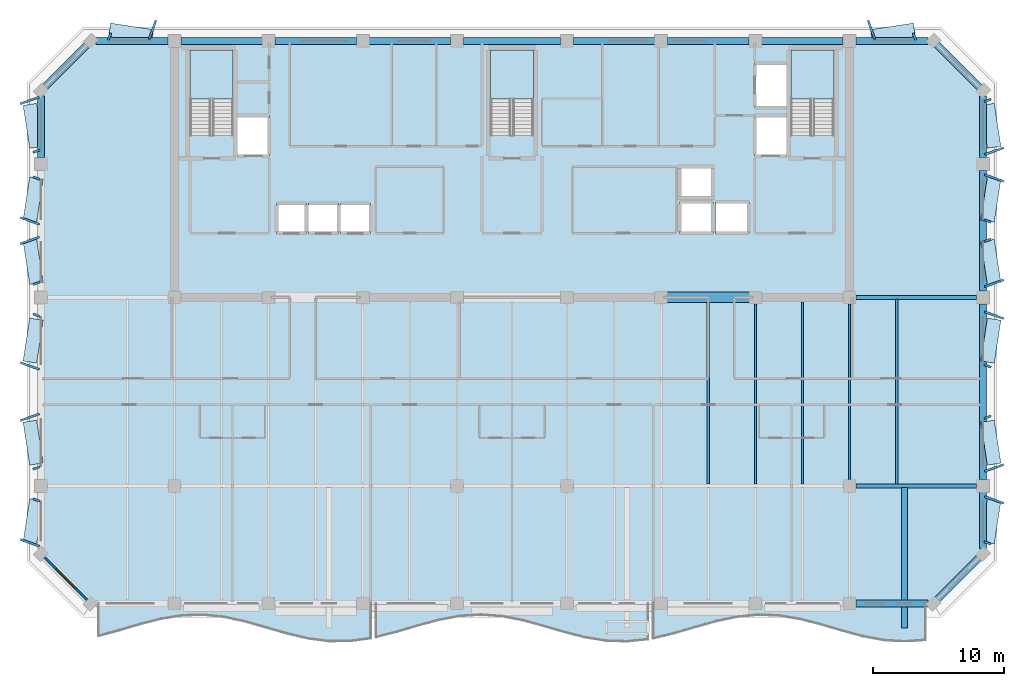
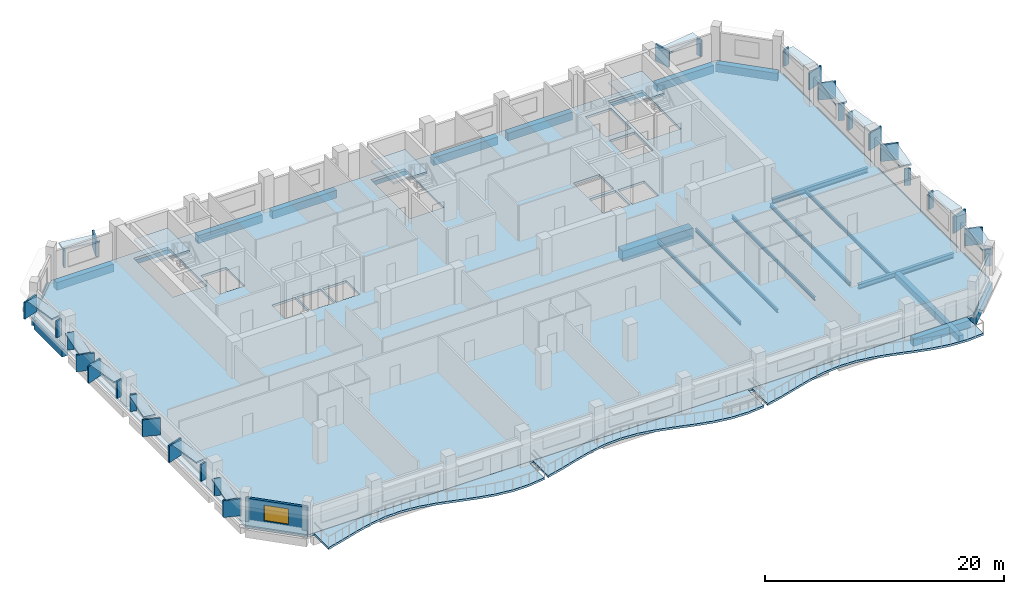
# One storey, part 2 of 10: 42 plates, 27 beams, 7 slabs, 1 wall, 1 window, 1 opening, 3 elements without a shape of their own.
"""IFC4 building model written with IfcOpenShell, lengths in metres."""

from ifc_helpers import new_model, si_unit, direction, frame, frame_2d, origin, origin_2d, place, context, subcontext, project, spatial, polyline, rectangle, i_section, outline, extrude, material, layer, layer_set, material_profile, profile_set, type_object, element, fill, aggregate, save


model = new_model("IFC4")

# Units and contexts
model_context = context("Model", 3, precision=1e-05, world=origin(), true_north=direction((0.0, 1.0)))
body_context = subcontext(model_context, "Body", "Model", "MODEL_VIEW")
ifc_project = project(units=[si_unit("LENGTHUNIT", "METRE"), si_unit("AREAUNIT", "SQUARE_METRE"), si_unit("VOLUMEUNIT", "CUBIC_METRE"), si_unit("PLANEANGLEUNIT", "RADIAN"), si_unit("MASSUNIT", "GRAM", prefix="KILO")], contexts=[model_context])

# Site, building, storey
site_placement = place(None, origin())
site = spatial("IfcSite", under=ifc_project, at=site_placement, CompositionType="ELEMENT")
building_placement = place(site_placement, origin())
building = spatial("IfcBuilding", under=site, at=building_placement, Name="Kaelvorn Grand Hotel", CompositionType="ELEMENT")
storey_placement = place(building_placement, frame((0.0, 0.0, 260.75)))
storey = spatial("IfcBuildingStorey", under=building, at=storey_placement, Name="L64", CompositionType="ELEMENT", Elevation=260.75)

# Beams
ifc_material_1 = material(Name="Steel S355", Category="steel")
ifc_material_profile_1 = material_profile(ifc_material_1, i_section(OverallWidth=0.300048828125, OverallDepth=0.5, WebThickness=0.014404296875, FlangeThickness=0.028076171875, FilletRadius=0.027099609375, at=origin_2d()), Name="HEB 500")
ifc_profile_set_1 = profile_set([ifc_material_profile_1], Name="Steel S355")
beam_type_1 = type_object("IfcBeamType", Name="BM-G-HEB500-S355", PredefinedType="BEAM", material=ifc_profile_set_1)
for number, where, z_axis, x_axis, name in (
    (1, (68.284912109375, 15.0, -0.489990234375), (1.0, 0.0, 0.0), (0.0, 1.0, 0.0), "L64 Primary Spine Steel Girder G-15 05"),
    (2, (68.284912109375, 29.39990234375, -0.489990234375), (1.0, 0.0, 0.0), (0.0, 1.0, 0.0), "L64 East Core Wing Steel Girder G-29E 01"),
):
    element("IfcBeam", number, at=place(storey_placement, frame(where, z_axis=z_axis, x_axis=x_axis)), inside=storey, type_object=beam_type_1, Name=name, PredefinedType="BEAM", context=body_context, shape_type="SweptSolid", body=[
        extrude(i_section(OverallWidth=0.300048828125, OverallDepth=0.5, WebThickness=0.014404296875, FlangeThickness=0.028076171875, FilletRadius=0.027099609375, at=origin_2d()), origin(), (0.0, 0.0, 1.0), 9.22998046875),
    ])
ifc_material_profile_2 = material_profile(ifc_material_1, i_section(OverallWidth=0.169921875, OverallDepth=0.360107421875, WebThickness=0.008056640625, FlangeThickness=0.0126953125, FilletRadius=0.01806640625, at=origin_2d()), Name="IPE 360")
ifc_profile_set_2 = profile_set([ifc_material_profile_2], Name="Steel S355")
beam_type_2 = type_object("IfcBeamType", Name="BM-J-IPE360-S355", PredefinedType="JOIST", material=ifc_profile_set_2)
beam_1_placement = place(storey_placement, frame((57.0, 15.135009765625, -0.419921875), z_axis=(0.0, 1.0, 0.0), x_axis=(-1.0, 0.0, 0.0)))
element("IfcBeam", 3, at=beam_1_placement, inside=storey, type_object=beam_type_2, Name="L64 Composite Floor Joist JM-16", PredefinedType="JOIST", context=body_context, shape_type="SweptSolid", body=[
    extrude(i_section(OverallWidth=0.169921875, OverallDepth=0.360107421875, WebThickness=0.008056640625, FlangeThickness=0.0126953125, FilletRadius=0.01806640625, at=origin_2d()), origin(), (0.0, 0.0, 1.0), 13.925048828125),
])
beam_2_placement = place(storey_placement, frame((60.60009765625, 15.135009765625, -0.419921875), z_axis=(0.0, 1.0, 0.0), x_axis=(-1.0, 0.0, 0.0)))
element("IfcBeam", 4, at=beam_2_placement, inside=storey, type_object=beam_type_2, Name="L64 Composite Floor Joist JM-17", PredefinedType="JOIST", context=body_context, shape_type="SweptSolid", body=[
    extrude(i_section(OverallWidth=0.169921875, OverallDepth=0.360107421875, WebThickness=0.008056640625, FlangeThickness=0.0126953125, FilletRadius=0.01806640625, at=origin_2d()), origin(), (0.0, 0.0, 1.0), 13.780029296875),
])
beam_3_placement = place(storey_placement, frame((64.199951171875, 15.135009765625, -0.419921875), z_axis=(0.0, 1.0, 0.0), x_axis=(-1.0, 0.0, 0.0)))
element("IfcBeam", 5, at=beam_3_placement, inside=storey, type_object=beam_type_2, Name="L64 Composite Floor Joist JM-18", PredefinedType="JOIST", context=body_context, shape_type="SweptSolid", body=[
    extrude(i_section(OverallWidth=0.169921875, OverallDepth=0.360107421875, WebThickness=0.008056640625, FlangeThickness=0.0126953125, FilletRadius=0.01806640625, at=origin_2d()), origin(), (0.0, 0.0, 1.0), 13.925048828125),
])
beam_4_placement = place(storey_placement, frame((67.800048828125, 15.485107421875, -0.419921875), z_axis=(0.0, 1.0, 0.0), x_axis=(-1.0, 0.0, 0.0)))
element("IfcBeam", 6, at=beam_4_placement, inside=storey, type_object=beam_type_2, Name="L64 Composite Floor Joist JM-19", PredefinedType="JOIST", context=body_context, shape_type="SweptSolid", body=[
    extrude(i_section(OverallWidth=0.169921875, OverallDepth=0.360107421875, WebThickness=0.008056640625, FlangeThickness=0.0126953125, FilletRadius=0.01806640625, at=origin_2d()), origin(), (0.0, 0.0, 1.0), 13.429931640625),
])
beam_5_placement = place(storey_placement, frame((71.39990234375, 15.135009765625, -0.419921875), z_axis=(0.0, 1.0, 0.0), x_axis=(-1.0, 0.0, 0.0)))
element("IfcBeam", 7, at=beam_5_placement, inside=storey, type_object=beam_type_2, Name="L64 Composite Floor Joist JM-20", PredefinedType="JOIST", context=body_context, shape_type="SweptSolid", body=[
    extrude(i_section(OverallWidth=0.169921875, OverallDepth=0.360107421875, WebThickness=0.008056640625, FlangeThickness=0.0126953125, FilletRadius=0.01806640625, at=origin_2d()), origin(), (0.0, 0.0, 1.0), 14.1298828125),
])
ifc_material_2 = material(Name="Concrete C60/75", Category="concrete")
ifc_material_profile_3 = material_profile(ifc_material_2, rectangle(XDim=0.800048828125, YDim=1.10009765625, at=origin_2d()), Name="RC LINTEL 800x1100")
ifc_profile_set_3 = profile_set([ifc_material_profile_3], Name="Concrete C60/75")
beam_type_3 = type_object("IfcBeamType", Name="BM-LIN-800x1100-C60", PredefinedType="LINTEL", material=ifc_profile_set_3)
beam_6_placement = place(storey_placement, frame((53.580078125, 29.39990234375, -0.7900390625), z_axis=(1.0, 0.0, 0.0), x_axis=(0.0, 1.0, 0.0)))
element("IfcBeam", 8, at=beam_6_placement, inside=storey, type_object=beam_type_3, Name="L64 Rear-Core Coupling Lintel Beam CB1-03", PredefinedType="LINTEL", context=body_context, shape_type="SweptSolid", body=[
    extrude(rectangle(XDim=0.800048828125, YDim=1.10009765625, at=origin_2d()), origin(), (0.0, 0.0, 1.0), 6.83984375),
])
ifc_material_3 = material(Name="Concrete C40/50", Category="concrete")
ifc_material_profile_4 = material_profile(ifc_material_3, rectangle(XDim=0.449951171875, YDim=0.64990234375, at=origin_2d()), Name="RC RIB 450x650")
ifc_profile_set_4 = profile_set([ifc_material_profile_4], Name="Concrete C40/50")
beam_type_4 = type_object("IfcBeamType", Name="BM-RIB-450x650-C40", PredefinedType="SPANDREL", material=ifc_profile_set_4)
beam_7_placement = place(storey_placement, frame((72.0, 4.14990234375, -0.544921875), z_axis=(0.0, 1.0, 0.0), x_axis=(-1.0, 0.0, 0.0)))
element("IfcBeam", 9, at=beam_7_placement, inside=storey, type_object=beam_type_4, Name="L64 Cantilevered Balcony Back-Span Rib RB1-3", PredefinedType="SPANDREL", context=body_context, shape_type="SweptSolid", body=[
    extrude(rectangle(XDim=0.449951171875, YDim=0.64990234375, at=origin_2d()), origin(), (0.0, 0.0, 1.0), 10.715087890625),
])
ifc_material_4 = material(Name="Concrete C50/60", Category="concrete")
ifc_material_profile_5 = material_profile(ifc_material_4, rectangle(XDim=0.550048828125, YDim=0.800048828125, at=origin_2d()), Name="RC SPANDREL 550x800")
ifc_profile_set_5 = profile_set([ifc_material_profile_5], Name="Concrete C50/60")
beam_type_5 = type_object("IfcBeamType", Name="BM-SP-550x800-C50", PredefinedType="SPANDREL", material=ifc_profile_set_5)
for number, where, z_axis, x_axis, name in (
    (10, (68.284912109375, 6.0, -0.639892578125), (1.0, 0.0, 0.0), (0.0, 1.0, 0.0), "L64 South Perimeter Spandrel 09"),
    (11, (10.205078125, 49.0, -0.639892578125), (1.0, 0.0, 0.0), (0.0, 1.0, 0.0), "L64 North Perimeter Spandrel 01"),
):
    element("IfcBeam", number, at=place(storey_placement, frame(where, z_axis=z_axis, x_axis=x_axis)), inside=storey, type_object=beam_type_5, Name=name, PredefinedType="SPANDREL", context=body_context, shape_type="SweptSolid", body=[
        extrude(rectangle(XDim=0.550048828125, YDim=0.800048828125, at=origin_2d()), origin(), (0.0, 0.0, 1.0), 5.510009765625),
    ])
for number, where, z_axis, x_axis, name in (
    (12, (16.68505859375, 49.0, -0.639892578125), (1.0, 0.0, 0.0), (0.0, 1.0, 0.0), "L64 North Perimeter Spandrel 02"),
    (13, (23.885009765625, 49.0, -0.639892578125), (1.0, 0.0, 0.0), (0.0, 1.0, 0.0), "L64 North Perimeter Spandrel 03"),
    (14, (31.0849609375, 49.0, -0.639892578125), (1.0, 0.0, 0.0), (0.0, 1.0, 0.0), "L64 North Perimeter Spandrel 04"),
):
    element("IfcBeam", number, at=place(storey_placement, frame(where, z_axis=z_axis, x_axis=x_axis)), inside=storey, type_object=beam_type_5, Name=name, PredefinedType="SPANDREL", context=body_context, shape_type="SweptSolid", body=[
        extrude(rectangle(XDim=0.550048828125, YDim=0.800048828125, at=origin_2d()), origin(), (0.0, 0.0, 1.0), 6.22998046875),
    ])
beam_8_placement = place(storey_placement, frame((38.284912109375, 49.0, -0.639892578125), z_axis=(1.0, 0.0, 0.0), x_axis=(0.0, 1.0, 0.0)))
element("IfcBeam", 15, at=beam_8_placement, inside=storey, type_object=beam_type_5, Name="L64 North Perimeter Spandrel 05", PredefinedType="SPANDREL", context=body_context, shape_type="SweptSolid", body=[
    extrude(rectangle(XDim=0.550048828125, YDim=0.800048828125, at=origin_2d()), origin(), (0.0, 0.0, 1.0), 7.43017578125),
])
for number, where, z_axis, x_axis, name in (
    (16, (46.68505859375, 49.0, -0.639892578125), (1.0, 0.0, 0.0), (0.0, 1.0, 0.0), "L64 North Perimeter Spandrel 06"),
    (17, (53.885009765625, 49.0, -0.639892578125), (1.0, 0.0, 0.0), (0.0, 1.0, 0.0), "L64 North Perimeter Spandrel 07"),
    (18, (61.0849609375, 49.0, -0.639892578125), (1.0, 0.0, 0.0), (0.0, 1.0, 0.0), "L64 North Perimeter Spandrel 08"),
):
    element("IfcBeam", number, at=place(storey_placement, frame(where, z_axis=z_axis, x_axis=x_axis)), inside=storey, type_object=beam_type_5, Name=name, PredefinedType="SPANDREL", context=body_context, shape_type="SweptSolid", body=[
        extrude(rectangle(XDim=0.550048828125, YDim=0.800048828125, at=origin_2d()), origin(), (0.0, 0.0, 1.0), 6.22998046875),
    ])
beam_9_placement = place(storey_placement, frame((68.284912109375, 49.0, -0.639892578125), z_axis=(1.0, 0.0, 0.0), x_axis=(0.0, 1.0, 0.0)))
element("IfcBeam", 19, at=beam_9_placement, inside=storey, type_object=beam_type_5, Name="L64 North Perimeter Spandrel 09", PredefinedType="SPANDREL", context=body_context, shape_type="SweptSolid", body=[
    extrude(rectangle(XDim=0.550048828125, YDim=0.800048828125, at=origin_2d()), origin(), (0.0, 0.0, 1.0), 5.510009765625),
])
beam_10_placement = place(storey_placement, frame((6.0, 40.0849609375, -0.639892578125), z_axis=(0.0, 1.0, 0.0), x_axis=(-1.0, 0.0, 0.0)))
element("IfcBeam", 20, at=beam_10_placement, inside=storey, type_object=beam_type_5, Name="L64 West Perimeter Spandrel 04", PredefinedType="SPANDREL", context=body_context, shape_type="SweptSolid", body=[
    extrude(rectangle(XDim=0.550048828125, YDim=0.800048828125, at=origin_2d()), origin(), (0.0, 0.0, 1.0), 4.7099609375),
])
beam_11_placement = place(storey_placement, frame((78.0, 10.205078125, -0.639892578125), z_axis=(0.0, 1.0, 0.0), x_axis=(-1.0, 0.0, 0.0)))
element("IfcBeam", 21, at=beam_11_placement, inside=storey, type_object=beam_type_5, Name="L64 East Perimeter Spandrel 01", PredefinedType="SPANDREL", context=body_context, shape_type="SweptSolid", body=[
    extrude(rectangle(XDim=0.550048828125, YDim=0.800048828125, at=origin_2d()), origin(), (0.0, 0.0, 1.0), 4.309814453125),
])
beam_12_placement = place(storey_placement, frame((78.0, 15.485107421875, -0.639892578125), z_axis=(0.0, 1.0, 0.0), x_axis=(-1.0, 0.0, 0.0)))
element("IfcBeam", 22, at=beam_12_placement, inside=storey, type_object=beam_type_5, Name="L64 East Perimeter Spandrel 02", PredefinedType="SPANDREL", context=body_context, shape_type="SweptSolid", body=[
    extrude(rectangle(XDim=0.550048828125, YDim=0.800048828125, at=origin_2d()), origin(), (0.0, 0.0, 1.0), 13.429931640625),
])
beam_13_placement = place(storey_placement, frame((78.0, 29.885009765625, -0.639892578125), z_axis=(0.0, 1.0, 0.0), x_axis=(-1.0, 0.0, 0.0)))
element("IfcBeam", 23, at=beam_13_placement, inside=storey, type_object=beam_type_5, Name="L64 East Perimeter Spandrel 03", PredefinedType="SPANDREL", context=body_context, shape_type="SweptSolid", body=[
    extrude(rectangle(XDim=0.550048828125, YDim=0.800048828125, at=origin_2d()), origin(), (0.0, 0.0, 1.0), 9.22998046875),
])
beam_14_placement = place(storey_placement, frame((78.0, 40.0849609375, -0.639892578125), z_axis=(0.0, 1.0, 0.0), x_axis=(-1.0, 0.0, 0.0)))
element("IfcBeam", 24, at=beam_14_placement, inside=storey, type_object=beam_type_5, Name="L64 East Perimeter Spandrel 04", PredefinedType="SPANDREL", context=body_context, shape_type="SweptSolid", body=[
    extrude(rectangle(XDim=0.550048828125, YDim=0.800048828125, at=origin_2d()), origin(), (0.0, 0.0, 1.0), 4.7099609375),
])
for number, where, z_axis, x_axis, name in (
    (25, (74.199951171875, 6.0, -0.639892578125), (0.707106781187, 0.707106781187, 0.0), (-0.707106781187, 0.707106781187, 0.0), "L64 Chamfer Spandrel Beam 1"),
    (26, (78.0, 45.199951171875, -0.639892578125), (-0.707106781187, 0.707106781187, 0.0), (-0.707106781187, -0.707106781187, 0.0), "L64 Chamfer Spandrel Beam 2"),
    (27, (9.800048828125, 49.0, -0.639892578125), (-0.707106781187, -0.707106781187, 0.0), (0.707106781187, -0.707106781187, 0.0), "L64 Chamfer Spandrel Beam 3"),
):
    element("IfcBeam", number, at=place(storey_placement, frame(where, z_axis=z_axis, x_axis=x_axis)), inside=storey, type_object=beam_type_5, Name=name, PredefinedType="SPANDREL", context=body_context, shape_type="SweptSolid", body=[
        extrude(rectangle(XDim=0.550048828125, YDim=0.800048828125, at=origin_2d()), origin(), (0.0, 0.0, 1.0), 5.3740234375),
    ])

# Plates
ifc_material_5 = material(Name="Precast concrete C45/55", Category="concrete")
ifc_layer_1 = layer(ifc_material_5, 0.159912109375)
ifc_layer_set_1 = layer_set([ifc_layer_1], Name="Precast concrete C45/55")
plate_type_1 = type_object("IfcPlateType", Name="PL-FRAME-DEEP-1550", PredefinedType="USERDEFINED", material=ifc_layer_set_1)
for number, where, z_axis, x_axis, name in (
    (28, (78.844970703125, 13.925048828125, 0.740234375), (0.0, 0.0, 1.0), (0.333806859234, 0.942641491092, 0.0), "L64 Tilted Precast Window Frame Fin R-E01"),
    (29, (78.844970703125, 16.360107421875, 0.81494140625), (0.0, 0.0, 1.0), (-0.333806859234, 0.942641491092, 0.0), "L64 Tilted Precast Window Frame Fin L-E02"),
    (30, (78.844970703125, 28.0400390625, 0.81494140625), (0.0, 0.0, 1.0), (0.333806859234, 0.942641491092, 0.0), "L64 Tilted Precast Window Frame Fin R-E03"),
    (31, (78.844970703125, 30.47509765625, 0.740234375), (0.0, 0.0, 1.0), (-0.333806859234, 0.942641491092, 0.0), "L64 Tilted Precast Window Frame Fin L-E04"),
    (32, (78.844970703125, 38.52490234375, 0.740234375), (0.0, 0.0, 1.0), (0.333806859234, 0.942641491092, 0.0), "L64 Tilted Precast Window Frame Fin R-E05"),
    (33, (78.844970703125, 40.574951171875, 0.81494140625), (0.0, 0.0, 1.0), (-0.333806859234, 0.942641491092, 0.0), "L64 Tilted Precast Window Frame Fin L-E06"),
    (34, (5.155029296875, 10.64501953125, 0.740234375), (0.0, 0.0, 1.0), (0.333806859234, 0.942641491092, 0.0), "L64 Tilted Precast Window Frame Fin L-W01"),
    (35, (5.155029296875, 20.239990234375, 0.81494140625), (0.0, 0.0, 1.0), (-0.333806859234, 0.942641491092, 0.0), "L64 Tilted Precast Window Frame Fin R-W02"),
    (36, (5.155029296875, 24.159912109375, 0.81494140625), (0.0, 0.0, 1.0), (0.333806859234, 0.942641491092, 0.0), "L64 Tilted Precast Window Frame Fin L-W03"),
    (37, (5.155029296875, 33.7548828125, 0.740234375), (0.0, 0.0, 1.0), (-0.333806859234, 0.942641491092, 0.0), "L64 Tilted Precast Window Frame Fin R-W04"),
    (38, (5.155029296875, 35.2451171875, 0.740234375), (0.0, 0.0, 1.0), (0.333806859234, 0.942641491092, 0.0), "L64 Tilted Precast Window Frame Fin L-W05"),
    (39, (5.155029296875, 44.455078125, 0.81494140625), (0.0, 0.0, 1.0), (-0.333806859234, 0.942641491092, 0.0), "L64 Tilted Precast Window Frame Fin R-W06"),
    (40, (14.52490234375, 49.844970703125, 0.740234375), (0.0, 0.0, 1.0), (0.942641491092, -0.333806859234, 0.0), "L64 Tilted Precast Window Frame Fin R-N01"),
    (41, (69.47509765625, 49.844970703125, 0.740234375), (0.0, 0.0, 1.0), (0.942641491092, 0.333806859234, 0.0), "L64 Tilted Precast Window Frame Fin L-N02"),
):
    element("IfcPlate", number, at=place(storey_placement, frame(where, z_axis=z_axis, x_axis=x_axis)), inside=storey, type_object=plate_type_1, Name=name, ObjectType="FLANGE_PLATE", PredefinedType="USERDEFINED", context=body_context, shape_type="SweptSolid", body=[
        extrude(rectangle(XDim=0.159912109375, YDim=1.550048828125, at=origin_2d()), origin(), (0.0, 0.0, 1.0), 1.719970703125),
    ])
ifc_layer_2 = layer(ifc_material_5, 0.159912109375)
ifc_layer_set_2 = layer_set([ifc_layer_2], Name="Precast concrete C45/55")
plate_type_2 = type_object("IfcPlateType", Name="PL-FRAME-HEAD-1050", PredefinedType="USERDEFINED", material=ifc_layer_set_2)
for number, where, z_axis, x_axis, name in (
    (42, (78.594970703125, 12.284912109375, 2.35009765625), (0.0, 0.0, 1.0), (0.152554625759, 0.988295040036, 0.0), "L64 Precast Window Frame Head Hood H-E01"),
    (43, (78.594970703125, 18.300048828125, 2.5), (0.0, 0.0, 1.0), (-0.152554625759, 0.988295040036, 0.0), "L64 Precast Window Frame Head Hood H-E02"),
    (44, (78.594970703125, 26.10009765625, 2.5), (0.0, 0.0, 1.0), (0.152554625759, 0.988295040036, 0.0), "L64 Precast Window Frame Head Hood H-E03"),
    (45, (78.594970703125, 32.114990234375, 2.35009765625), (0.0, 0.0, 1.0), (-0.152554625759, 0.988295040036, 0.0), "L64 Precast Window Frame Head Hood H-E04"),
    (46, (78.594970703125, 36.885009765625, 2.35009765625), (0.0, 0.0, 1.0), (0.152554625759, 0.988295040036, 0.0), "L64 Precast Window Frame Head Hood H-E05"),
    (47, (78.594970703125, 42.514892578125, 2.5), (0.0, 0.0, 1.0), (-0.152554625759, 0.988295040036, 0.0), "L64 Precast Window Frame Head Hood H-E06"),
    (48, (5.405029296875, 12.284912109375, 2.35009765625), (0.0, 0.0, 1.0), (0.152554625759, 0.988295040036, 0.0), "L64 Precast Window Frame Head Hood H-W01"),
    (49, (5.405029296875, 18.300048828125, 2.5), (0.0, 0.0, 1.0), (-0.152554625759, 0.988295040036, 0.0), "L64 Precast Window Frame Head Hood H-W02"),
    (50, (5.405029296875, 26.10009765625, 2.5), (0.0, 0.0, 1.0), (0.152554625759, 0.988295040036, 0.0), "L64 Precast Window Frame Head Hood H-W03"),
    (51, (5.405029296875, 32.114990234375, 2.35009765625), (0.0, 0.0, 1.0), (-0.152554625759, 0.988295040036, 0.0), "L64 Precast Window Frame Head Hood H-W04"),
    (52, (5.405029296875, 36.885009765625, 2.35009765625), (0.0, 0.0, 1.0), (0.152554625759, 0.988295040036, 0.0), "L64 Precast Window Frame Head Hood H-W05"),
    (53, (5.405029296875, 42.514892578125, 2.5), (0.0, 0.0, 1.0), (-0.152554625759, 0.988295040036, 0.0), "L64 Precast Window Frame Head Hood H-W06"),
    (54, (12.885009765625, 49.594970703125, 2.35009765625), (0.0, 0.0, 1.0), (0.988295040036, -0.152554625759, 0.0), "L64 Precast Window Frame Head Hood H-N01"),
    (55, (71.114990234375, 49.594970703125, 2.35009765625), (0.0, 0.0, 1.0), (0.988295040036, 0.152554625759, 0.0), "L64 Precast Window Frame Head Hood H-N02"),
):
    element("IfcPlate", number, at=place(storey_placement, frame(where, z_axis=z_axis, x_axis=x_axis)), inside=storey, type_object=plate_type_2, Name=name, ObjectType="FLANGE_PLATE", PredefinedType="USERDEFINED", context=body_context, shape_type="SweptSolid", body=[
        extrude(rectangle(XDim=3.320068359375, YDim=1.050048828125, at=origin_2d()), origin(), (0.0, 0.0, 1.0), 0.159912109375),
    ])
ifc_layer_3 = layer(ifc_material_5, 0.159912109375)
ifc_layer_set_3 = layer_set([ifc_layer_3], Name="Precast concrete C45/55")
plate_type_3 = type_object("IfcPlateType", Name="PL-FRAME-SHAL-550", PredefinedType="USERDEFINED", material=ifc_layer_set_3)
for number, where, z_axis, x_axis, name in (
    (56, (78.344970703125, 10.64501953125, 0.740234375), (0.0, 0.0, 1.0), (0.333806859234, 0.942641491092, 0.0), "L64 Tilted Precast Window Frame Fin L-E01"),
    (57, (78.344970703125, 20.239990234375, 0.81494140625), (0.0, 0.0, 1.0), (-0.333806859234, 0.942641491092, 0.0), "L64 Tilted Precast Window Frame Fin R-E02"),
    (58, (78.344970703125, 24.159912109375, 0.81494140625), (0.0, 0.0, 1.0), (0.333806859234, 0.942641491092, 0.0), "L64 Tilted Precast Window Frame Fin L-E03"),
    (59, (78.344970703125, 33.7548828125, 0.740234375), (0.0, 0.0, 1.0), (-0.333806859234, 0.942641491092, 0.0), "L64 Tilted Precast Window Frame Fin R-E04"),
    (60, (78.344970703125, 35.2451171875, 0.740234375), (0.0, 0.0, 1.0), (0.333806859234, 0.942641491092, 0.0), "L64 Tilted Precast Window Frame Fin L-E05"),
    (61, (78.344970703125, 44.455078125, 0.81494140625), (0.0, 0.0, 1.0), (-0.333806859234, 0.942641491092, 0.0), "L64 Tilted Precast Window Frame Fin R-E06"),
    (62, (5.655029296875, 13.925048828125, 0.740234375), (0.0, 0.0, 1.0), (0.333806859234, 0.942641491092, 0.0), "L64 Tilted Precast Window Frame Fin R-W01"),
    (63, (5.655029296875, 16.360107421875, 0.81494140625), (0.0, 0.0, 1.0), (-0.333806859234, 0.942641491092, 0.0), "L64 Tilted Precast Window Frame Fin L-W02"),
    (64, (5.655029296875, 28.0400390625, 0.81494140625), (0.0, 0.0, 1.0), (0.333806859234, 0.942641491092, 0.0), "L64 Tilted Precast Window Frame Fin R-W03"),
    (65, (5.655029296875, 30.47509765625, 0.740234375), (0.0, 0.0, 1.0), (-0.333806859234, 0.942641491092, 0.0), "L64 Tilted Precast Window Frame Fin L-W04"),
    (66, (5.655029296875, 38.52490234375, 0.740234375), (0.0, 0.0, 1.0), (0.333806859234, 0.942641491092, 0.0), "L64 Tilted Precast Window Frame Fin R-W05"),
    (67, (5.655029296875, 40.574951171875, 0.81494140625), (0.0, 0.0, 1.0), (-0.333806859234, 0.942641491092, 0.0), "L64 Tilted Precast Window Frame Fin L-W06"),
    (68, (11.2451171875, 49.344970703125, 0.740234375), (0.0, 0.0, 1.0), (0.942641491092, -0.333806859234, 0.0), "L64 Tilted Precast Window Frame Fin L-N01"),
    (69, (72.7548828125, 49.344970703125, 0.740234375), (0.0, 0.0, 1.0), (0.942641491092, 0.333806859234, 0.0), "L64 Tilted Precast Window Frame Fin R-N02"),
):
    element("IfcPlate", number, at=place(storey_placement, frame(where, z_axis=z_axis, x_axis=x_axis)), inside=storey, type_object=plate_type_3, Name=name, ObjectType="FLANGE_PLATE", PredefinedType="USERDEFINED", context=body_context, shape_type="SweptSolid", body=[
        extrude(rectangle(XDim=0.159912109375, YDim=0.550048828125, at=origin_2d()), origin(), (0.0, 0.0, 1.0), 1.719970703125),
    ])

# Slabs
ifc_layer_4 = layer(ifc_material_3, 0.219970703125)
ifc_layer_set_4 = layer_set([ifc_layer_4], Name="Concrete C40/50")
slab_type_1 = type_object("IfcSlabType", Name="SLB-BALC-220-C40", PredefinedType="FLOOR", material=ifc_layer_set_4)
slab_1_placement = place(storey_placement, frame((0.0, 0.0, -0.219970703125)))
element("IfcSlab", 70, at=slab_1_placement, inside=storey, type_object=slab_type_1, Name="L64 Scalloped Wave Balcony Slab 1", PredefinedType="FLOOR", context=body_context, shape_type="SweptSolid", body=[
    extrude(outline(polyline([(10.39990234375, 3.5224609375), (12.0, 3.958740234375), (13.60009765625, 4.430419921875), (15.199951171875, 4.8369140625), (16.800048828125, 5.09228515625), (18.39990234375, 5.1416015625), (20.0, 4.974853515625), (21.60009765625, 4.627197265625), (23.199951171875, 4.172607421875), (24.800048828125, 3.7080078125), (26.39990234375, 3.332275390625), (28.0, 3.125), (29.60009765625, 3.13037109375), (31.199951171875, 3.347412109375), (31.199951171875, 6.0), (10.39990234375, 6.0), (10.39990234375, 3.5224609375)])), origin(), (0.0, 0.0, 1.0), 0.219970703125),
])
slab_2_placement = place(storey_placement, frame((0.0, 0.0, -0.219970703125)))
element("IfcSlab", 71, at=slab_2_placement, inside=storey, type_object=slab_type_1, Name="L64 Scalloped Wave Balcony Slab 2", PredefinedType="FLOOR", context=body_context, shape_type="SweptSolid", body=[
    extrude(outline(polyline([(31.60009765625, 3.430419921875), (33.199951171875, 3.842529296875), (34.800048828125, 4.314697265625), (36.39990234375, 4.74658203125), (38.0, 5.046142578125), (39.60009765625, 5.14990234375), (41.199951171875, 5.03564453125), (42.800048828125, 4.7275390625), (44.39990234375, 4.291259765625), (46.0, 3.819580078125), (47.60009765625, 3.4130859375), (49.199951171875, 3.15771484375), (50.800048828125, 3.1083984375), (52.39990234375, 3.275146484375), (52.39990234375, 6.0), (31.60009765625, 6.0), (31.60009765625, 3.430419921875)])), origin(), (0.0, 0.0, 1.0), 0.219970703125),
])
slab_3_placement = place(storey_placement, frame((0.0, 0.0, -0.219970703125)))
element("IfcSlab", 72, at=slab_3_placement, inside=storey, type_object=slab_type_1, Name="L64 Scalloped Wave Balcony Slab 3", PredefinedType="FLOOR", context=body_context, shape_type="SweptSolid", body=[
    extrude(outline(polyline([(52.800048828125, 3.347412109375), (54.39990234375, 3.72998046875), (56.0, 4.196533203125), (57.60009765625, 4.647705078125), (59.199951171875, 4.98779296875), (60.800048828125, 5.144287109375), (62.39990234375, 5.083984375), (64.0, 4.819580078125), (65.60009765625, 4.407470703125), (67.199951171875, 3.935302734375), (68.800048828125, 3.50341796875), (70.39990234375, 3.203857421875), (72.0, 3.10009765625), (73.60009765625, 3.21435546875), (73.60009765625, 6.0), (52.800048828125, 6.0), (52.800048828125, 3.347412109375)])), origin(), (0.0, 0.0, 1.0), 0.219970703125),
])
ifc_layer_5 = layer(ifc_material_3, 0.239990234375)
ifc_layer_set_5 = layer_set([ifc_layer_5], Name="Concrete C40/50")
slab_type_2 = type_object("IfcSlabType", Name="SLB-FLR-240-C40", PredefinedType="FLOOR", material=ifc_layer_set_5)
slab_4_placement = place(storey_placement, frame((0.0, 0.0, -0.239990234375)))
element("IfcSlab", 73, at=slab_4_placement, inside=storey, type_object=slab_type_2, Name="L64 Indoor Suspended Floor Slab", PredefinedType="FLOOR", context=body_context, shape_type="SweptSolid", body=[
    extrude(outline(polyline([(9.800048828125, 6.0), (74.199951171875, 6.0), (78.0, 9.800048828125), (78.0, 45.199951171875), (74.199951171875, 49.0), (9.800048828125, 49.0), (6.0, 45.199951171875), (6.0, 9.800048828125), (9.800048828125, 6.0)]), holes=[polyline([(17.39990234375, 41.760009765625), (17.39990234375, 48.300048828125), (20.679931640625, 48.300048828125), (20.679931640625, 41.760009765625), (17.39990234375, 41.760009765625)]), polyline([(40.360107421875, 41.760009765625), (40.360107421875, 48.300048828125), (43.639892578125, 48.300048828125), (43.639892578125, 41.760009765625), (40.360107421875, 41.760009765625)]), polyline([(63.320068359375, 41.760009765625), (63.320068359375, 48.300048828125), (66.60009765625, 48.300048828125), (66.60009765625, 41.760009765625), (63.320068359375, 41.760009765625)]), polyline([(24.0, 34.300048828125), (24.0, 36.60009765625), (26.300048828125, 36.60009765625), (26.300048828125, 34.300048828125), (24.0, 34.300048828125)]), polyline([(26.449951171875, 34.300048828125), (26.449951171875, 36.60009765625), (28.75, 36.60009765625), (28.75, 34.300048828125), (26.449951171875, 34.300048828125)]), polyline([(28.89990234375, 34.300048828125), (28.89990234375, 36.60009765625), (31.199951171875, 36.60009765625), (31.199951171875, 34.300048828125), (28.89990234375, 34.300048828125)]), polyline([(54.800048828125, 34.300048828125), (54.800048828125, 36.699951171875), (57.35009765625, 36.699951171875), (57.35009765625, 34.300048828125), (54.800048828125, 34.300048828125)]), polyline([(57.550048828125, 34.300048828125), (57.550048828125, 36.699951171875), (60.10009765625, 36.699951171875), (60.10009765625, 34.300048828125), (57.550048828125, 34.300048828125)]), polyline([(54.800048828125, 37.0), (54.800048828125, 39.39990234375), (57.35009765625, 39.39990234375), (57.35009765625, 37.0), (54.800048828125, 37.0)]), polyline([(21.0, 40.199951171875), (21.0, 43.300048828125), (23.449951171875, 43.300048828125), (23.449951171875, 40.199951171875), (21.0, 40.199951171875)]), polyline([(60.550048828125, 40.199951171875), (60.550048828125, 43.300048828125), (63.0, 43.300048828125), (63.0, 40.199951171875), (60.550048828125, 40.199951171875)]), polyline([(60.550048828125, 43.89990234375), (60.550048828125, 47.300048828125), (63.0, 47.300048828125), (63.0, 43.89990234375), (60.550048828125, 43.89990234375)])]), origin(), (0.0, 0.0, 1.0), 0.239990234375),
])

# Stair, slab
stair_type = type_object("IfcStairType", Name="STR-DOG-1560-R09", PredefinedType="HALF_TURN_STAIR", material=ifc_material_3)
stair_1_placement = place(storey_placement, origin())
stair_1 = element("IfcStair", 74, at=stair_1_placement, inside=storey, type_object=stair_type, Name="L64 West Core Exit Stair ST1", PredefinedType="HALF_TURN_STAIR")
ifc_layer_6 = layer(ifc_material_3, 0.199951171875)
ifc_layer_set_6 = layer_set([ifc_layer_6], Name="Concrete C40/50")
slab_type_3 = type_object("IfcSlabType", Name="SLB-LAND-200-C40", PredefinedType="LANDING", material=ifc_layer_set_6)
slab_5_placement = place(storey_placement, frame((0.0, 0.0, 1.77490234375)))
slab_5 = element("IfcSlab", 75, at=slab_5_placement, type_object=slab_type_3, Name="ST1 landing 1", PredefinedType="LANDING", context=body_context, shape_type="SweptSolid", body=[
    extrude(outline(polyline([(20.679931640625, 44.56005859375), (20.679931640625, 48.300048828125), (17.39990234375, 48.300048828125), (17.39990234375, 44.56005859375), (20.679931640625, 44.56005859375)])), origin(), (0.0, 0.0, 1.0), 0.2001953125),
])
aggregate(stair_1, [slab_5])

stair_2_placement = place(storey_placement, origin())
stair_2 = element("IfcStair", 76, at=stair_2_placement, inside=storey, type_object=stair_type, Name="L64 Central Core Exit Stair ST2", PredefinedType="HALF_TURN_STAIR")
slab_6_placement = place(storey_placement, frame((0.0, 0.0, 1.77490234375)))
slab_6 = element("IfcSlab", 77, at=slab_6_placement, type_object=slab_type_3, Name="ST2 landing 1", PredefinedType="LANDING", context=body_context, shape_type="SweptSolid", body=[
    extrude(outline(polyline([(43.639892578125, 44.56005859375), (43.639892578125, 48.300048828125), (40.360107421875, 48.300048828125), (40.360107421875, 44.56005859375), (43.639892578125, 44.56005859375)])), origin(), (0.0, 0.0, 1.0), 0.2001953125),
])
aggregate(stair_2, [slab_6])

stair_3_placement = place(storey_placement, origin())
stair_3 = element("IfcStair", 78, at=stair_3_placement, inside=storey, type_object=stair_type, Name="L64 East Core Exit Stair ST3", PredefinedType="HALF_TURN_STAIR")
slab_7_placement = place(storey_placement, frame((0.0, 0.0, 1.77490234375)))
slab_7 = element("IfcSlab", 79, at=slab_7_placement, type_object=slab_type_3, Name="ST3 landing 1", PredefinedType="LANDING", context=body_context, shape_type="SweptSolid", body=[
    extrude(outline(polyline([(66.60009765625, 44.56005859375), (66.60009765625, 48.300048828125), (63.320068359375, 48.300048828125), (63.320068359375, 44.56005859375), (66.60009765625, 44.56005859375)])), origin(), (0.0, 0.0, 1.0), 0.2001953125),
])
aggregate(stair_3, [slab_7])

# Wall, opening, window
ifc_layer_7 = layer(ifc_material_3, 0.219970703125)
ifc_layer_set_7 = layer_set([ifc_layer_7], Name="Concrete C40/50")
wall_type = type_object("IfcWallType", Name="WL-EXT-220-C40", PredefinedType="SOLIDWALL", material=ifc_layer_set_7)
wall_placement = place(storey_placement, frame((6.0, 9.800048828125, 0.0), z_axis=(0.0, 0.0, 1.0), x_axis=(0.707106781187, -0.707106781187, 0.0)))
wall = element("IfcWall", 80, at=wall_placement, inside=storey, type_object=wall_type, Name="L64 Exterior Architectural Concrete Wall 08", PredefinedType="SOLIDWALL", context=body_context, shape_type="SweptSolid", body=[
    extrude(rectangle(XDim=5.3740234375, YDim=0.219970703125, at=frame_2d((2.68701171875, 0.0))), origin(), (0.0, 0.0, 1.0), 2.909912109375),
])
opening_placement = place(wall_placement, frame((1.636962890625, 0.0, 0.85009765625)))
opening = element("IfcOpeningElement", 81, at=opening_placement, cuts=wall, Name="Opening W7", PredefinedType="OPENING", context=body_context, shape_type="SweptSolid", body=[
    extrude(rectangle(XDim=2.10009765625, YDim=1.60009765625, at=frame_2d((1.050048828125, 0.800048828125))), frame((0.0, 0.1201171875, 0.0), z_axis=(0.0, -1.0, 0.0), x_axis=(1.0, 0.0, 0.0)), (0.0, 0.0, 1.0), 0.239990234375),
])
ifc_material_6 = material(Name="Laminated Low-E Glass", Category="glass")
window_type = type_object("IfcWindowType", Name="WIN-CHM-2100x1600", PartitioningType="SINGLE_PANEL", PredefinedType="WINDOW", material=ifc_material_6)
window_placement = place(opening_placement, origin())
window = element("IfcWindow", 82, at=window_placement, inside=storey, type_object=window_type, Name="L64 Chamfered 45-Degree Corner Window SW", OverallHeight=1.60009765625, OverallWidth=2.10009765625, PartitioningType="SINGLE_PANEL", PredefinedType="WINDOW", context=body_context, shape_type="SweptSolid", body=[
    extrude(rectangle(XDim=2.10009765625, YDim=1.60009765625, at=frame_2d((1.050048828125, 0.800048828125))), frame((0.0, 0.030029296875, 0.0), z_axis=(0.0, -1.0, 0.0), x_axis=(1.0, 0.0, 0.0)), (0.0, 0.0, 1.0), 0.06005859375),
])
fill(opening, window)

save(model, "model.ifc")
